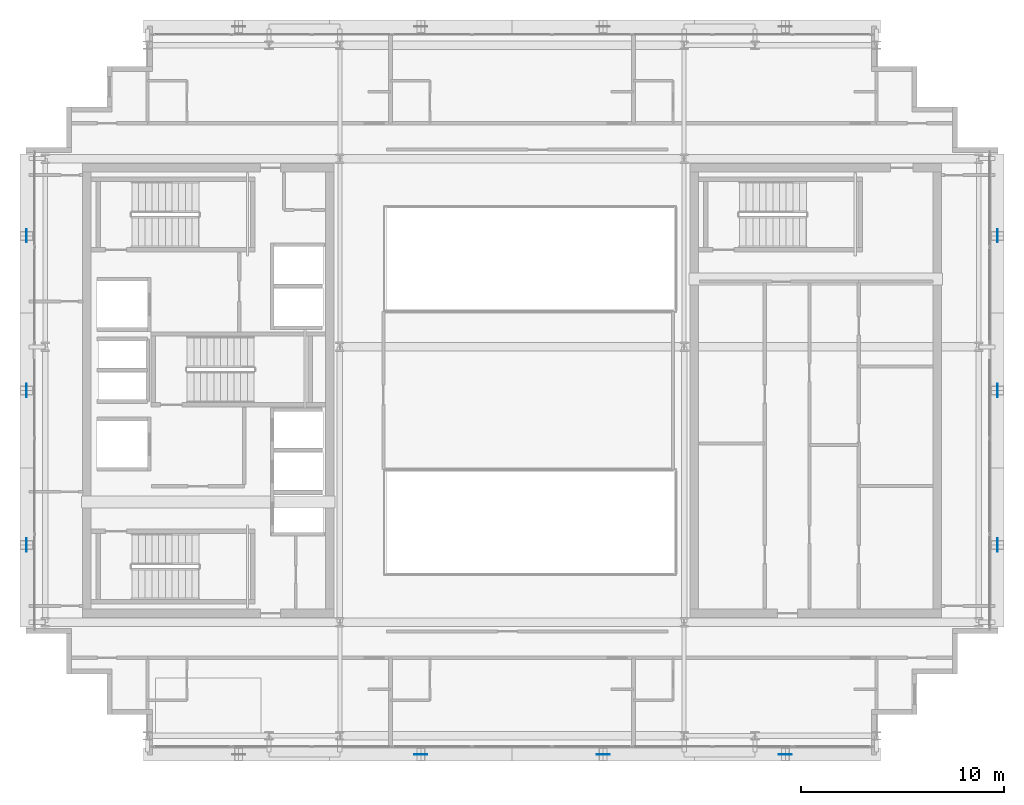
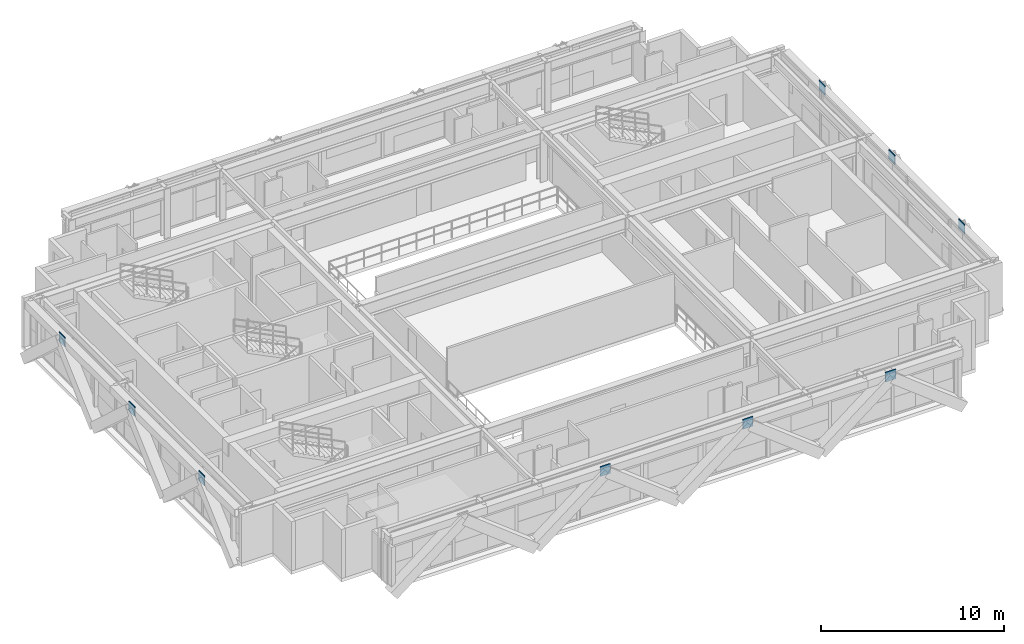
# One storey, part 19 of 28: 9 plates.
"""IFC4 building model written with IfcOpenShell, lengths in metres."""

from ifc_helpers import new_model, si_unit, direction, frame, origin, origin_2d, place, context, subcontext, project, spatial, rectangle, extrude, source, transform, mapped, material, layer, layer_set, type_object, element, save


model = new_model("IFC4")

# Units and contexts
model_context = context("Model", 3, precision=1e-05, world=origin(), true_north=direction((0.0, 1.0)))
body_context = subcontext(model_context, "Body", "Model", "MODEL_VIEW")
ifc_project = project(units=[si_unit("LENGTHUNIT", "METRE"), si_unit("AREAUNIT", "SQUARE_METRE"), si_unit("VOLUMEUNIT", "CUBIC_METRE"), si_unit("PLANEANGLEUNIT", "RADIAN"), si_unit("MASSUNIT", "GRAM", prefix="KILO")], contexts=[model_context])

# Site, building, storey
site_placement = place(None, origin())
site = spatial("IfcSite", under=ifc_project, at=site_placement, CompositionType="ELEMENT")
building_placement = place(site_placement, origin())
building = spatial("IfcBuilding", under=site, at=building_placement, Name="Ocotamira Hotel", CompositionType="ELEMENT")
storey_placement = place(building_placement, frame((0.0, 0.0, 243.60009765625)))
storey = spatial("IfcBuildingStorey", under=building, at=storey_placement, Name="L61", CompositionType="ELEMENT", Elevation=243.60009765625)

# Plates
ifc_material = material(Name="Pale-metal coated steel ASTM A572 Grade 50", Category="steel")
ifc_layer = layer(ifc_material, 0.0400390625)
ifc_layer_set = layer_set([ifc_layer], Name="Pale-metal coated steel ASTM A572 Grade 50")
plate_type = type_object("IfcPlateType", Name="PLT-GUSSET-40", PredefinedType="SHEET", material=ifc_layer_set)
shared_shape_1 = source(origin(), body_context, "Body", "SweptSolid", [
    extrude(rectangle(XDim=0.64990234375, YDim=0.0400390625, at=origin_2d()), origin(), (0.0, 0.0, 1.0), 0.64990234375),
])
for number, where, z_axis, x_axis, name in (
    (1, (27.5, 8.030029296875, 2.704833984375), (0.0, 0.0, 1.0), (1.0, 0.0, 0.0), "L61 Exoskeleton Diagrid S1.1 End Gusset B"),
    (2, (36.5, 8.030029296875, 2.704833984375), (0.0, 0.0, 1.0), (1.0, 0.0, 0.0), "L61 Exoskeleton Diagrid S2.1 End Gusset B"),
    (3, (45.5, 8.030029296875, 2.704833984375), (0.0, 0.0, 1.0), (1.0, 0.0, 0.0), "L61 Exoskeleton Diagrid S3.1 End Gusset B"),
):
    element("IfcPlate", number, at=place(storey_placement, frame(where, z_axis=z_axis, x_axis=x_axis)), inside=storey, type_object=plate_type, Name=name, PredefinedType="SHEET", context=body_context, shape_type="MappedRepresentation", body=[
        mapped(shared_shape_1, transform((0.0, 0.0, 0.0), scale=1.0)),
    ])
shared_shape_2 = source(origin(), body_context, "Body", "SweptSolid", [
    extrude(rectangle(XDim=0.0400390625, YDim=0.64990234375, at=origin_2d()), origin(), (0.0, 0.0, 1.0), 0.64990234375),
])
for number, where, z_axis, x_axis, name in (
    (4, (8.030029296875, 18.36669921875, 2.704833984375), (0.0, 0.0, 1.0), (1.0, 0.0, 0.0), "L61 Exoskeleton Diagrid W0.1 End Gusset B"),
    (5, (8.030029296875, 26.0, 2.704833984375), (0.0, 0.0, 1.0), (1.0, 0.0, 0.0), "L61 Exoskeleton Diagrid W1.1 End Gusset B"),
    (6, (8.030029296875, 33.63330078125, 2.704833984375), (0.0, 0.0, 1.0), (1.0, 0.0, 0.0), "L61 Exoskeleton Diagrid W2.1 End Gusset B"),
    (7, (55.969970703125, 18.36669921875, 2.704833984375), (0.0, 0.0, 1.0), (1.0, 0.0, 0.0), "L61 Exoskeleton Diagrid E0.1 End Gusset B"),
    (8, (55.969970703125, 26.0, 2.704833984375), (0.0, 0.0, 1.0), (1.0, 0.0, 0.0), "L61 Exoskeleton Diagrid E1.1 End Gusset B"),
    (9, (55.969970703125, 33.63330078125, 2.704833984375), (0.0, 0.0, 1.0), (1.0, 0.0, 0.0), "L61 Exoskeleton Diagrid E2.1 End Gusset B"),
):
    element("IfcPlate", number, at=place(storey_placement, frame(where, z_axis=z_axis, x_axis=x_axis)), inside=storey, type_object=plate_type, Name=name, PredefinedType="SHEET", context=body_context, shape_type="MappedRepresentation", body=[
        mapped(shared_shape_2, transform((0.0, 0.0, 0.0), scale=1.0)),
    ])

save(model, "model.ifc")
